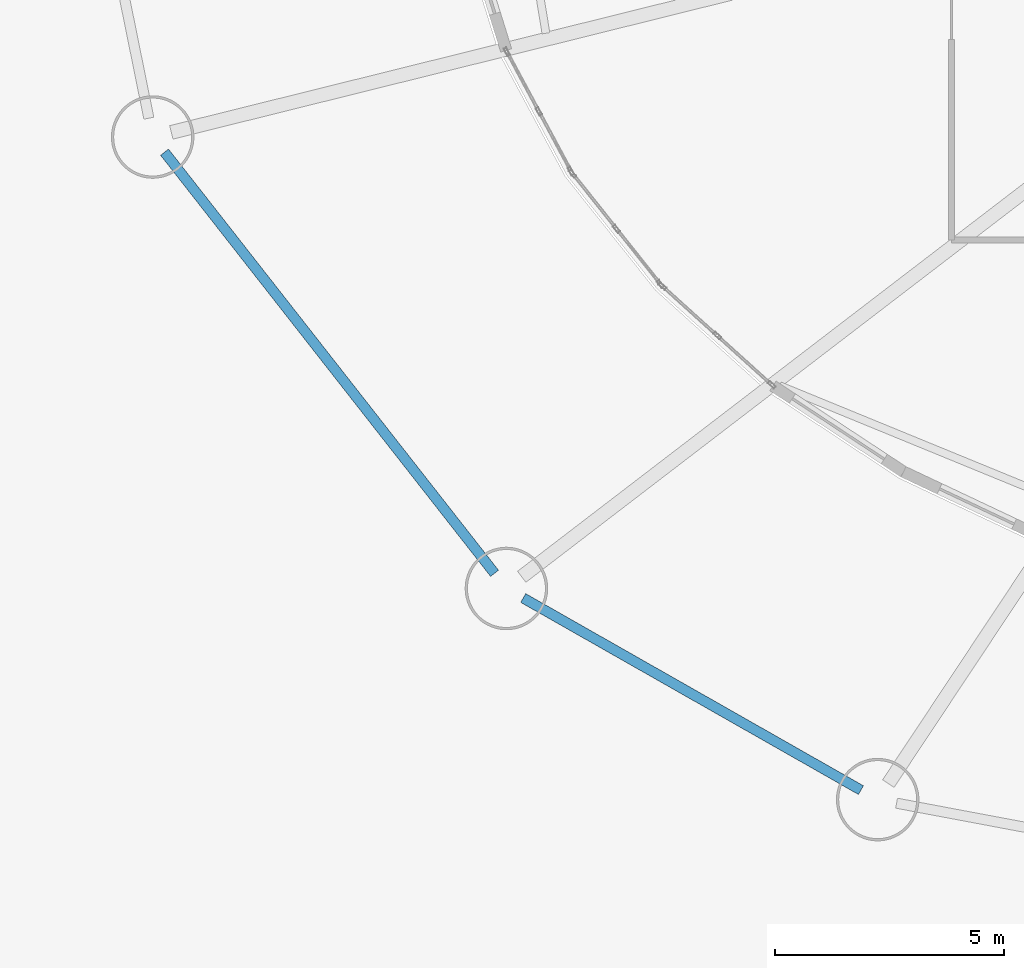
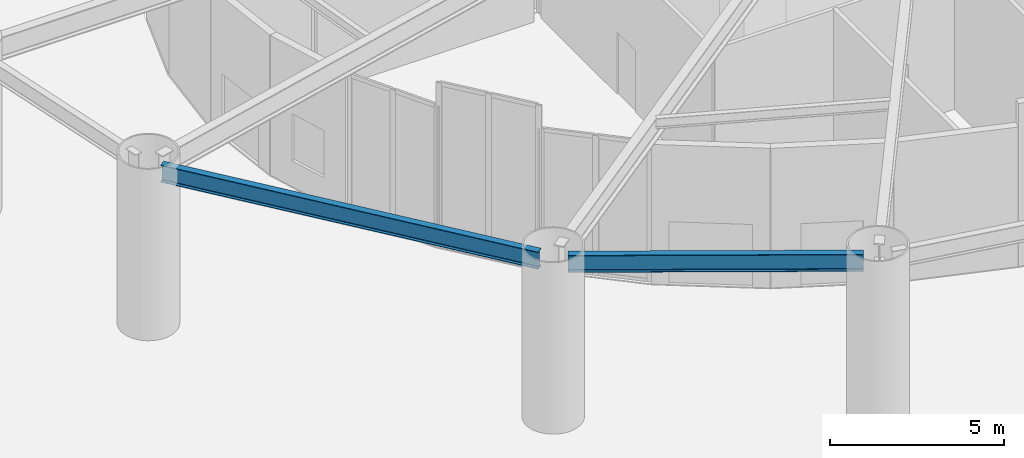
# One storey, part 5 of 46: 2 beams.
"""IFC4 building model written with IfcOpenShell, lengths in metres."""

from ifc_helpers import new_model, si_unit, direction, frame, origin, origin_2d, place, context, subcontext, project, spatial, i_section, extrude, material, material_profile, profile_set, type_object, element, save


model = new_model("IFC4")

# Units and contexts
model_context = context("Model", 3, precision=1e-05, world=origin(), true_north=direction((0.0, 1.0)))
body_context = subcontext(model_context, "Body", "Model", "MODEL_VIEW")
ifc_project = project(units=[si_unit("LENGTHUNIT", "METRE"), si_unit("AREAUNIT", "SQUARE_METRE"), si_unit("VOLUMEUNIT", "CUBIC_METRE"), si_unit("PLANEANGLEUNIT", "RADIAN"), si_unit("MASSUNIT", "GRAM", prefix="KILO")], contexts=[model_context])

# Site, building, storey
site_placement = place(None, origin())
site = spatial("IfcSite", under=ifc_project, at=site_placement, CompositionType="ELEMENT")
building_placement = place(site_placement, origin())
building = spatial("IfcBuilding", under=site, at=building_placement, Name="Linh Dai School and Residence Tower", CompositionType="ELEMENT")
storey_placement = place(building_placement, origin())
storey = spatial("IfcBuildingStorey", under=building, at=storey_placement, Name="L00", CompositionType="ELEMENT", Elevation=0.0)

# Beams
ifc_material = material(Name="Structural Steel S355JR", Category="steel")
ifc_material_profile = material_profile(ifc_material, i_section(OverallWidth=0.219970703125, OverallDepth=0.60009765625, WebThickness=0.011962890625, FlangeThickness=0.01904296875, FilletRadius=0.02392578125, at=origin_2d()), Name="IPE 600")
ifc_profile_set = profile_set([ifc_material_profile], Name="Structural Steel S355JR")
beam_type = type_object("IfcBeamType", Name="BM-RB60", PredefinedType="BEAM", material=ifc_profile_set)
beam_1_placement = place(storey_placement, frame((5.838623046875, 19.114013671875, 5.39990234375), z_axis=(0.616811949607, -0.787110550572, 0.0), x_axis=(0.787110550572, 0.616811949607, 0.0)))
element("IfcBeam", 1, at=beam_1_placement, inside=storey, type_object=beam_type, Name="L00 Perimeter Elliptical Ring Beam 10", PredefinedType="BEAM", context=body_context, shape_type="SweptSolid", body=[
    extrude(i_section(OverallWidth=0.219970703125, OverallDepth=0.60009765625, WebThickness=0.011962890625, FlangeThickness=0.01904296875, FilletRadius=0.02392578125, at=origin_2d()), origin(), (0.0, 0.0, 1.0), 11.668212890625),
])
beam_2_placement = place(storey_placement, frame((13.659912109375, 9.3916015625, 5.39990234375), z_axis=(0.869246663758, -0.494378637833, 0.0), x_axis=(0.494378637833, 0.869246663758, 0.0)))
element("IfcBeam", 2, at=beam_2_placement, inside=storey, type_object=beam_type, Name="L00 Perimeter Elliptical Ring Beam 11", PredefinedType="BEAM", context=body_context, shape_type="SweptSolid", body=[
    extrude(i_section(OverallWidth=0.219970703125, OverallDepth=0.60009765625, WebThickness=0.011962890625, FlangeThickness=0.01904296875, FilletRadius=0.02392578125, at=origin_2d()), origin(), (0.0, 0.0, 1.0), 8.4736328125),
])

save(model, "model.ifc")
